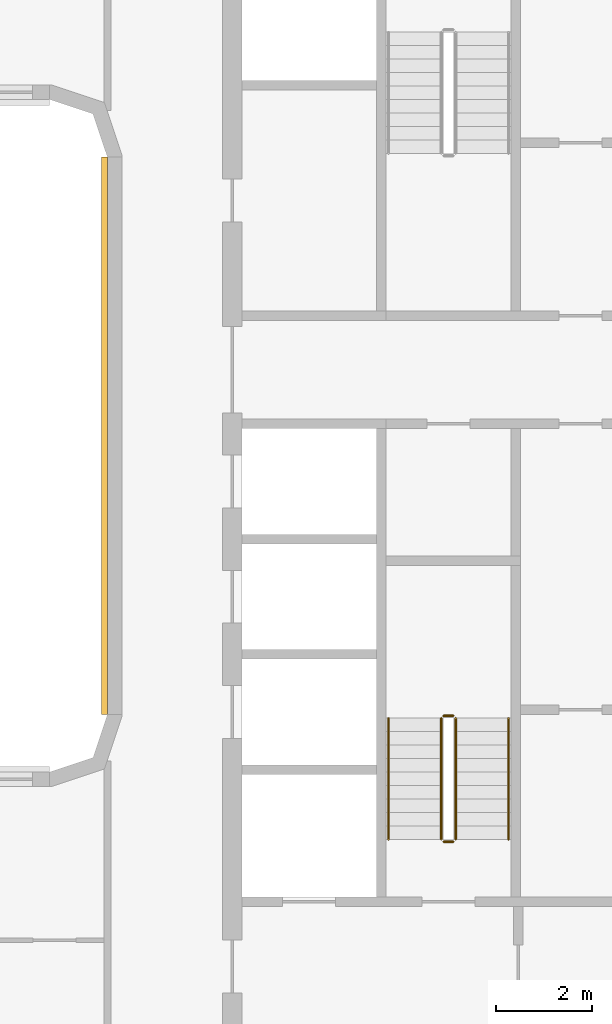
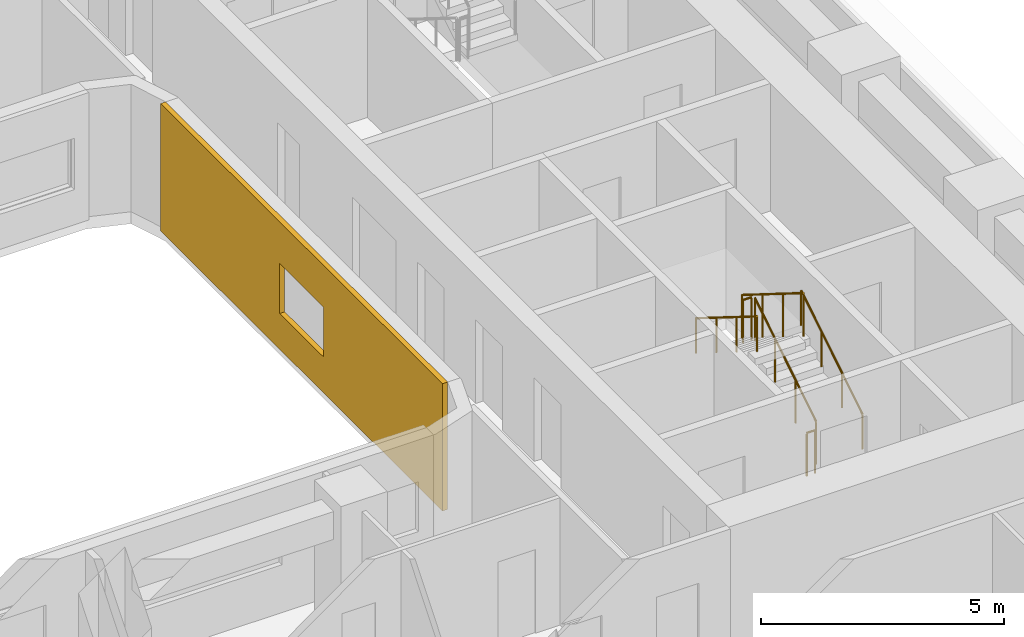
# One storey, part 17 of 22: 6 railings, 1 covering.
"""IFC4 building model written with IfcOpenShell, lengths in metres."""

from ifc_helpers import new_model, si_unit, direction, frame, origin, origin_2d, place, context, subcontext, project, spatial, polyline, circle, outline, extrude, material, layer, layer_set, type_object, element, save


model = new_model("IFC4")

# Units and contexts
model_context = context("Model", 3, precision=1e-05, world=origin(), true_north=direction((0.0, 1.0)))
body_context = subcontext(model_context, "Body", "Model", "MODEL_VIEW")
ifc_project = project(units=[si_unit("LENGTHUNIT", "METRE"), si_unit("AREAUNIT", "SQUARE_METRE"), si_unit("VOLUMEUNIT", "CUBIC_METRE"), si_unit("PLANEANGLEUNIT", "RADIAN"), si_unit("MASSUNIT", "GRAM", prefix="KILO")], contexts=[model_context])

# Site, building, storey
site_placement = place(None, origin())
site = spatial("IfcSite", under=ifc_project, at=site_placement, CompositionType="ELEMENT")
building_placement = place(site_placement, origin())
building = spatial("IfcBuilding", under=site, at=building_placement, Name="Kiln Ring Residences", CompositionType="ELEMENT")
storey_placement = place(building_placement, frame((0.0, 0.0, 55.0)))
storey = spatial("IfcBuildingStorey", under=building, at=storey_placement, Name="L13", CompositionType="ELEMENT", Elevation=55.0)

# Railings
ifc_material_1 = material(Name="Stainless steel", Category="steel")
railing_type_1 = type_object("IfcRailingType", Name="CORE-STAIR-GUARD", PredefinedType="GUARDRAIL", material=ifc_material_1)
railing_1_placement = place(storey_placement, frame((22.25, -8.39990234375, 0.175048828125)))
element("IfcRailing", 1, at=railing_1_placement, inside=storey, type_object=railing_type_1, Name="L13 E-STS stair guard 1", PredefinedType="GUARDRAIL", context=body_context, shape_type="SweptSolid", body=[
    extrude(circle(Radius=0.02392578125, at=origin_2d()), frame((0.0, 0.0, 1.076171875), z_axis=(0.0, 0.848007534815, 0.529984170421), x_axis=(-1.0, 0.0, 0.0)), (0.0, 0.0, 1.0), 2.9716796875),
    extrude(circle(Radius=0.02099609375, at=origin_2d()), origin(), (0.0, 0.0, 1.0), 1.052001953125),
    extrude(circle(Radius=0.02099609375, at=origin_2d()), frame((0.0, 0.840087890625, 0.52490234375)), (0.0, 0.0, 1.0), 1.052001953125),
    extrude(circle(Radius=0.02099609375, at=origin_2d()), frame((0.0, 1.679931640625, 1.050048828125)), (0.0, 0.0, 1.0), 1.052001953125),
    extrude(circle(Radius=0.02099609375, at=origin_2d()), frame((0.0, 2.52001953125, 1.574951171875)), (0.0, 0.0, 1.0), 1.052001953125),
])
railing_2_placement = place(storey_placement, frame((22.199951171875, -5.830078125, 1.75)))
element("IfcRailing", 2, at=railing_2_placement, inside=storey, type_object=railing_type_1, Name="L13 E-STS stair guard 2", PredefinedType="GUARDRAIL", context=body_context, shape_type="SweptSolid", body=[
    extrude(circle(Radius=0.02392578125, at=origin_2d()), frame((0.0, 0.0, 1.076171875), z_axis=(-1.0, 0.0, 0.0), x_axis=(0.0, -1.0, 0.0)), (0.0, 0.0, 1.0), 0.199951171875),
    extrude(circle(Radius=0.02099609375, at=origin_2d()), origin(), (0.0, 0.0, 1.0), 1.052001953125),
    extrude(circle(Radius=0.02099609375, at=origin_2d()), frame((-0.199951171875, 0.0, 0.0)), (0.0, 0.0, 1.0), 1.052001953125),
])
railing_3_placement = place(storey_placement, frame((21.949951171875, -5.8798828125, 1.925048828125)))
element("IfcRailing", 3, at=railing_3_placement, inside=storey, type_object=railing_type_1, Name="L13 E-STS stair guard 3", PredefinedType="GUARDRAIL", context=body_context, shape_type="SweptSolid", body=[
    extrude(circle(Radius=0.02392578125, at=origin_2d()), frame((0.0, 0.0, 1.076171875), z_axis=(0.0, -0.848007534815, 0.529984170421), x_axis=(1.0, 0.0, 0.0)), (0.0, 0.0, 1.0), 2.9716796875),
    extrude(circle(Radius=0.02099609375, at=origin_2d()), origin(), (0.0, 0.0, 1.0), 1.052001953125),
    extrude(circle(Radius=0.02099609375, at=origin_2d()), frame((0.0, -0.840087890625, 0.52490234375)), (0.0, 0.0, 1.0), 1.052001953125),
    extrude(circle(Radius=0.02099609375, at=origin_2d()), frame((0.0, -1.679931640625, 1.050048828125)), (0.0, 0.0, 1.0), 1.052001953125),
    extrude(circle(Radius=0.02099609375, at=origin_2d()), frame((0.0, -2.52001953125, 1.574951171875)), (0.0, 0.0, 1.0), 1.052001953125),
])
railing_4_placement = place(storey_placement, frame((22.199951171875, -8.449951171875, 0.0)))
element("IfcRailing", 4, at=railing_4_placement, inside=storey, type_object=railing_type_1, Name="L13 E-STS stair guard 4", PredefinedType="GUARDRAIL", context=body_context, shape_type="SweptSolid", body=[
    extrude(circle(Radius=0.02392578125, at=origin_2d()), frame((0.0, 0.0, 1.076171875), z_axis=(-1.0, 0.0, 0.0), x_axis=(0.0, -1.0, 0.0)), (0.0, 0.0, 1.0), 0.199951171875),
    extrude(circle(Radius=0.02099609375, at=origin_2d()), origin(), (0.0, 0.0, 1.0), 1.052001953125),
    extrude(circle(Radius=0.02099609375, at=origin_2d()), frame((-0.199951171875, 0.0, 0.0)), (0.0, 0.0, 1.0), 1.052001953125),
])
ifc_material_2 = material(Name="Stainless steel", Category="steel")
railing_type_2 = type_object("IfcRailingType", Name="CORE-STAIR-HANDRAIL", PredefinedType="HANDRAIL", material=ifc_material_2)
railing_5_placement = place(storey_placement, frame((23.35009765625, -8.39990234375, 0.175048828125)))
element("IfcRailing", 5, at=railing_5_placement, inside=storey, type_object=railing_type_2, Name="L13 E-STS stair handrail 1", PredefinedType="HANDRAIL", context=body_context, shape_type="SweptSolid", body=[
    extrude(circle(Radius=0.02392578125, at=origin_2d()), frame((0.0, 0.0, 0.8759765625), z_axis=(0.0, 0.848007534815, 0.529984170421), x_axis=(-1.0, 0.0, 0.0)), (0.0, 0.0, 1.0), 2.9716796875),
    extrude(circle(Radius=0.02099609375, at=origin_2d()), origin(), (0.0, 0.0, 1.0), 0.851806640625),
    extrude(circle(Radius=0.02099609375, at=origin_2d()), frame((0.0, 0.840087890625, 0.52490234375)), (0.0, 0.0, 1.0), 0.851806640625),
    extrude(circle(Radius=0.02099609375, at=origin_2d()), frame((0.0, 1.679931640625, 1.050048828125)), (0.0, 0.0, 1.0), 0.851806640625),
    extrude(circle(Radius=0.02099609375, at=origin_2d()), frame((0.0, 2.52001953125, 1.574951171875)), (0.0, 0.0, 1.0), 0.851806640625),
])
railing_6_placement = place(storey_placement, frame((20.85009765625, -5.8798828125, 1.925048828125)))
element("IfcRailing", 6, at=railing_6_placement, inside=storey, type_object=railing_type_2, Name="L13 E-STS stair handrail 2", PredefinedType="HANDRAIL", context=body_context, shape_type="SweptSolid", body=[
    extrude(circle(Radius=0.02392578125, at=origin_2d()), frame((0.0, 0.0, 0.8759765625), z_axis=(0.0, -0.848007534815, 0.529984170421), x_axis=(1.0, 0.0, 0.0)), (0.0, 0.0, 1.0), 2.9716796875),
    extrude(circle(Radius=0.02099609375, at=origin_2d()), origin(), (0.0, 0.0, 1.0), 0.851806640625),
    extrude(circle(Radius=0.02099609375, at=origin_2d()), frame((0.0, -0.840087890625, 0.52490234375)), (0.0, 0.0, 1.0), 0.851806640625),
    extrude(circle(Radius=0.02099609375, at=origin_2d()), frame((0.0, -1.679931640625, 1.050048828125)), (0.0, 0.0, 1.0), 0.851806640625),
    extrude(circle(Radius=0.02099609375, at=origin_2d()), frame((0.0, -2.52001953125, 1.574951171875)), (0.0, 0.0, 1.0), 0.851806640625),
])

# Covering
ifc_material_3 = material(Name="Brick masonry, dark clay brick", Category="masonry")
ifc_layer = layer(ifc_material_3, 0.1201171875)
ifc_layer_set = layer_set([ifc_layer], Name="RAINSCREEN PANEL 120")
covering_type = type_object("IfcCoveringType", Name="RAINSCREEN PANEL 120", PredefinedType="CLADDING", material=ifc_layer_set)
covering_placement = place(storey_placement, frame((14.93994140625, 5.800048828125, 0.0), z_axis=(0.0, 0.0, 1.0), x_axis=(0.0, -1.0, 0.0)))
element("IfcCovering", 7, at=covering_placement, inside=storey, type_object=covering_type, Name="RAINSCREEN L13", PredefinedType="CLADDING", context=body_context, shape_type="SweptSolid", body=[
    extrude(outline(polyline([(0.0, 0.0), (11.60009765625, 0.0), (11.60009765625, 3.199951171875), (0.0, 3.199951171875), (0.0, 0.0)]), holes=[polyline([(4.89990234375, 2.14990234375), (4.89990234375, 0.89990234375), (6.699951171875, 0.89990234375), (6.699951171875, 2.14990234375), (4.89990234375, 2.14990234375)])]), frame((0.0, 0.06005859375, 0.0), z_axis=(0.0, -1.0, 0.0), x_axis=(1.0, 0.0, 0.0)), (0.0, 0.0, 1.0), 0.1201171875),
])

save(model, "model.ifc")
